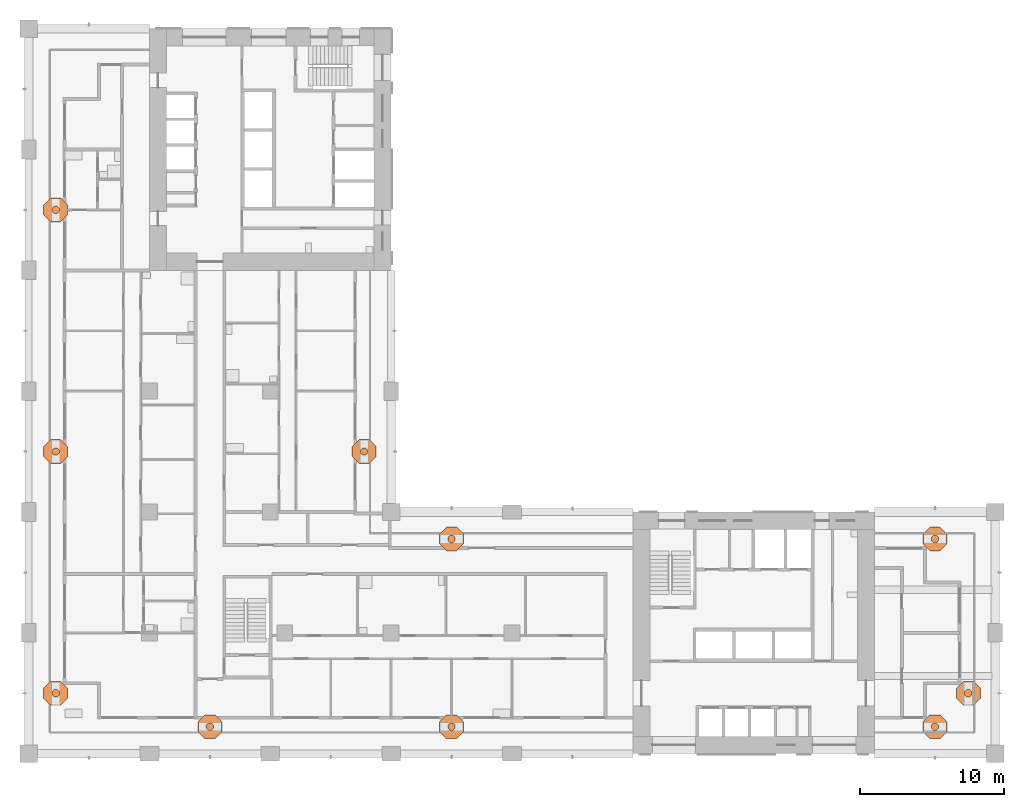
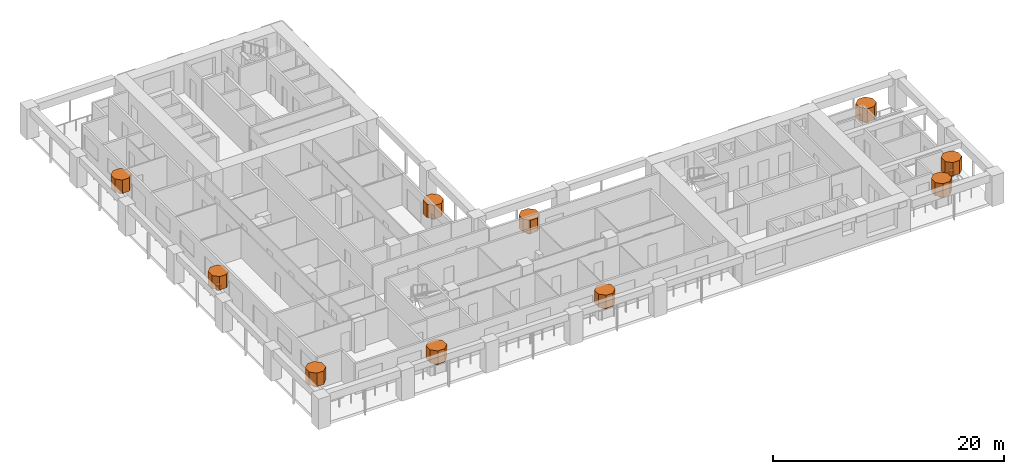
# One storey, part 18 of 18: 20 geographic elements.
"""IFC4 building model written with IfcOpenShell, lengths in metres."""

from ifc_helpers import new_model, si_unit, direction, frame, origin, place, context, subcontext, project, spatial, polyline, outline, extrude, material, element, save


model = new_model("IFC4")

# Units and contexts
model_context = context("Model", 3, precision=1e-05, world=origin(), true_north=direction((0.0, 1.0)))
body_context = subcontext(model_context, "Body", "Model", "MODEL_VIEW")
ifc_project = project(units=[si_unit("LENGTHUNIT", "METRE"), si_unit("AREAUNIT", "SQUARE_METRE"), si_unit("VOLUMEUNIT", "CUBIC_METRE"), si_unit("PLANEANGLEUNIT", "RADIAN"), si_unit("MASSUNIT", "GRAM", prefix="KILO")], contexts=[model_context])

# Site, building, storey
site_placement = place(None, origin())
site = spatial("IfcSite", under=ifc_project, at=site_placement, CompositionType="ELEMENT")
building_placement = place(site_placement, origin())
building = spatial("IfcBuilding", under=site, at=building_placement, Name="Vermilion Gate Residences", CompositionType="ELEMENT")
storey_placement = place(building_placement, frame((0.0, 0.0, 102.199951171875)))
storey = spatial("IfcBuildingStorey", under=building, at=storey_placement, Name="L25", CompositionType="ELEMENT", Elevation=102.199951171875)

# Geographic elements
ifc_material = material(Name="Foliage")
geographic_element_1_placement = place(storey_placement, frame((0.0, 0.0, 0.900146484375)))
element("IfcGeographicElement", 1, at=geographic_element_1_placement, inside=storey, material=ifc_material, Name="Tree (black pine)", ObjectType="TREE", PredefinedType="USERDEFINED", context=body_context, shape_type="SweptSolid", body=[
    extrude(outline(polyline([(12.85400390625, 10.380126953125), (12.705078125, 10.529052734375), (12.494873046875, 10.529052734375), (12.345947265625, 10.380126953125), (12.345947265625, 10.169921875), (12.494873046875, 10.02099609375), (12.705078125, 10.02099609375), (12.85400390625, 10.169921875), (12.85400390625, 10.380126953125)])), origin(), (0.0, 0.0, 1.0), 0.52001953125),
])
geographic_element_2_placement = place(storey_placement, frame((0.0, 0.0, 1.420166015625)))
element("IfcGeographicElement", 2, at=geographic_element_2_placement, inside=storey, material=ifc_material, Name="Tree crown (black pine)", ObjectType="TREE", PredefinedType="USERDEFINED", context=body_context, shape_type="SweptSolid", body=[
    extrude(outline(polyline([(13.431396484375, 10.619384765625), (12.9443359375, 11.1064453125), (12.255615234375, 11.1064453125), (11.7685546875, 10.619384765625), (11.7685546875, 9.9306640625), (12.255615234375, 9.443603515625), (12.9443359375, 9.443603515625), (13.431396484375, 9.9306640625), (13.431396484375, 10.619384765625)])), origin(), (0.0, 0.0, 1.0), 1.39990234375),
])
geographic_element_3_placement = place(storey_placement, frame((0.0, 0.0, 0.900146484375)))
element("IfcGeographicElement", 3, at=geographic_element_3_placement, inside=storey, material=ifc_material, Name="Tree (maple)", ObjectType="TREE", PredefinedType="USERDEFINED", context=body_context, shape_type="SweptSolid", body=[
    extrude(outline(polyline([(29.654052734375, 10.380126953125), (29.505126953125, 10.529052734375), (29.294921875, 10.529052734375), (29.14599609375, 10.380126953125), (29.14599609375, 10.169921875), (29.294921875, 10.02099609375), (29.505126953125, 10.02099609375), (29.654052734375, 10.169921875), (29.654052734375, 10.380126953125)])), origin(), (0.0, 0.0, 1.0), 0.52001953125),
])
geographic_element_4_placement = place(storey_placement, frame((0.0, 0.0, 1.420166015625)))
element("IfcGeographicElement", 4, at=geographic_element_4_placement, inside=storey, material=ifc_material, Name="Tree crown (maple)", ObjectType="TREE", PredefinedType="USERDEFINED", context=body_context, shape_type="SweptSolid", body=[
    extrude(outline(polyline([(30.2314453125, 10.619384765625), (29.744384765625, 11.1064453125), (29.0556640625, 11.1064453125), (28.568603515625, 10.619384765625), (28.568603515625, 9.9306640625), (29.0556640625, 9.443603515625), (29.744384765625, 9.443603515625), (30.2314453125, 9.9306640625), (30.2314453125, 10.619384765625)])), origin(), (0.0, 0.0, 1.0), 1.39990234375),
])
geographic_element_5_placement = place(storey_placement, frame((0.0, 0.0, 0.900146484375)))
element("IfcGeographicElement", 5, at=geographic_element_5_placement, inside=storey, material=ifc_material, Name="Tree (maple)", ObjectType="TREE", PredefinedType="USERDEFINED", context=body_context, shape_type="SweptSolid", body=[
    extrude(outline(polyline([(63.254150390625, 10.380126953125), (63.105224609375, 10.529052734375), (62.894775390625, 10.529052734375), (62.745849609375, 10.380126953125), (62.745849609375, 10.169921875), (62.894775390625, 10.02099609375), (63.105224609375, 10.02099609375), (63.254150390625, 10.169921875), (63.254150390625, 10.380126953125)])), origin(), (0.0, 0.0, 1.0), 0.52001953125),
])
geographic_element_6_placement = place(storey_placement, frame((0.0, 0.0, 1.420166015625)))
element("IfcGeographicElement", 6, at=geographic_element_6_placement, inside=storey, material=ifc_material, Name="Tree crown (maple)", ObjectType="TREE", PredefinedType="USERDEFINED", context=body_context, shape_type="SweptSolid", body=[
    extrude(outline(polyline([(63.83154296875, 10.619384765625), (63.344482421875, 11.1064453125), (62.655517578125, 11.1064453125), (62.16845703125, 10.619384765625), (62.16845703125, 9.9306640625), (62.655517578125, 9.443603515625), (63.344482421875, 9.443603515625), (63.83154296875, 9.9306640625), (63.83154296875, 10.619384765625)])), origin(), (0.0, 0.0, 1.0), 1.39990234375),
])
geographic_element_7_placement = place(storey_placement, frame((0.0, 0.0, 0.900146484375)))
element("IfcGeographicElement", 7, at=geographic_element_7_placement, inside=storey, material=ifc_material, Name="Tree (black pine)", ObjectType="TREE", PredefinedType="USERDEFINED", context=body_context, shape_type="SweptSolid", body=[
    extrude(outline(polyline([(65.5791015625, 12.705078125), (65.43017578125, 12.85400390625), (65.2197265625, 12.85400390625), (65.07080078125, 12.705078125), (65.07080078125, 12.494873046875), (65.2197265625, 12.345947265625), (65.43017578125, 12.345947265625), (65.5791015625, 12.494873046875), (65.5791015625, 12.705078125)])), origin(), (0.0, 0.0, 1.0), 0.52001953125),
])
geographic_element_8_placement = place(storey_placement, frame((0.0, 0.0, 1.420166015625)))
element("IfcGeographicElement", 8, at=geographic_element_8_placement, inside=storey, material=ifc_material, Name="Tree crown (black pine)", ObjectType="TREE", PredefinedType="USERDEFINED", context=body_context, shape_type="SweptSolid", body=[
    extrude(outline(polyline([(66.156494140625, 12.9443359375), (65.66943359375, 13.431396484375), (64.980712890625, 13.431396484375), (64.493408203125, 12.9443359375), (64.493408203125, 12.255615234375), (64.980712890625, 11.7685546875), (65.66943359375, 11.7685546875), (66.156494140625, 12.255615234375), (66.156494140625, 12.9443359375)])), origin(), (0.0, 0.0, 1.0), 1.39990234375),
])
geographic_element_9_placement = place(storey_placement, frame((0.0, 0.0, 0.900146484375)))
element("IfcGeographicElement", 9, at=geographic_element_9_placement, inside=storey, material=ifc_material, Name="Tree (maple)", ObjectType="TREE", PredefinedType="USERDEFINED", context=body_context, shape_type="SweptSolid", body=[
    extrude(outline(polyline([(29.654052734375, 23.43017578125), (29.505126953125, 23.5791015625), (29.294921875, 23.5791015625), (29.14599609375, 23.43017578125), (29.14599609375, 23.2197265625), (29.294921875, 23.07080078125), (29.505126953125, 23.07080078125), (29.654052734375, 23.2197265625), (29.654052734375, 23.43017578125)])), origin(), (0.0, 0.0, 1.0), 0.52001953125),
])
geographic_element_10_placement = place(storey_placement, frame((0.0, 0.0, 1.420166015625)))
element("IfcGeographicElement", 10, at=geographic_element_10_placement, inside=storey, material=ifc_material, Name="Tree crown (maple)", ObjectType="TREE", PredefinedType="USERDEFINED", context=body_context, shape_type="SweptSolid", body=[
    extrude(outline(polyline([(30.2314453125, 23.66943359375), (29.744384765625, 24.156494140625), (29.0556640625, 24.156494140625), (28.568603515625, 23.66943359375), (28.568603515625, 22.980712890625), (29.0556640625, 22.493408203125), (29.744384765625, 22.493408203125), (30.2314453125, 22.980712890625), (30.2314453125, 23.66943359375)])), origin(), (0.0, 0.0, 1.0), 1.39990234375),
])
geographic_element_11_placement = place(storey_placement, frame((0.0, 0.0, 0.900146484375)))
element("IfcGeographicElement", 11, at=geographic_element_11_placement, inside=storey, material=ifc_material, Name="Tree (maple)", ObjectType="TREE", PredefinedType="USERDEFINED", context=body_context, shape_type="SweptSolid", body=[
    extrude(outline(polyline([(63.254150390625, 23.43017578125), (63.105224609375, 23.5791015625), (62.894775390625, 23.5791015625), (62.745849609375, 23.43017578125), (62.745849609375, 23.2197265625), (62.894775390625, 23.07080078125), (63.105224609375, 23.07080078125), (63.254150390625, 23.2197265625), (63.254150390625, 23.43017578125)])), origin(), (0.0, 0.0, 1.0), 0.52001953125),
])
geographic_element_12_placement = place(storey_placement, frame((0.0, 0.0, 1.420166015625)))
element("IfcGeographicElement", 12, at=geographic_element_12_placement, inside=storey, material=ifc_material, Name="Tree crown (maple)", ObjectType="TREE", PredefinedType="USERDEFINED", context=body_context, shape_type="SweptSolid", body=[
    extrude(outline(polyline([(63.83154296875, 23.66943359375), (63.344482421875, 24.156494140625), (62.655517578125, 24.156494140625), (62.16845703125, 23.66943359375), (62.16845703125, 22.980712890625), (62.655517578125, 22.493408203125), (63.344482421875, 22.493408203125), (63.83154296875, 22.980712890625), (63.83154296875, 23.66943359375)])), origin(), (0.0, 0.0, 1.0), 1.39990234375),
])
geographic_element_13_placement = place(storey_placement, frame((0.0, 0.0, 0.900146484375)))
element("IfcGeographicElement", 13, at=geographic_element_13_placement, inside=storey, material=ifc_material, Name="Tree (maple)", ObjectType="TREE", PredefinedType="USERDEFINED", context=body_context, shape_type="SweptSolid", body=[
    extrude(outline(polyline([(23.5791015625, 29.505126953125), (23.43017578125, 29.654052734375), (23.2197265625, 29.654052734375), (23.07080078125, 29.505126953125), (23.07080078125, 29.294921875), (23.2197265625, 29.14599609375), (23.43017578125, 29.14599609375), (23.5791015625, 29.294921875), (23.5791015625, 29.505126953125)])), origin(), (0.0, 0.0, 1.0), 0.52001953125),
])
geographic_element_14_placement = place(storey_placement, frame((0.0, 0.0, 1.420166015625)))
element("IfcGeographicElement", 14, at=geographic_element_14_placement, inside=storey, material=ifc_material, Name="Tree crown (maple)", ObjectType="TREE", PredefinedType="USERDEFINED", context=body_context, shape_type="SweptSolid", body=[
    extrude(outline(polyline([(24.156494140625, 29.744384765625), (23.66943359375, 30.2314453125), (22.980712890625, 30.2314453125), (22.493408203125, 29.744384765625), (22.493408203125, 29.0556640625), (22.980712890625, 28.568603515625), (23.66943359375, 28.568603515625), (24.156494140625, 29.0556640625), (24.156494140625, 29.744384765625)])), origin(), (0.0, 0.0, 1.0), 1.39990234375),
])
geographic_element_15_placement = place(storey_placement, frame((0.0, 0.0, 0.900146484375)))
element("IfcGeographicElement", 15, at=geographic_element_15_placement, inside=storey, material=ifc_material, Name="Tree (black pine)", ObjectType="TREE", PredefinedType="USERDEFINED", context=body_context, shape_type="SweptSolid", body=[
    extrude(outline(polyline([(2.129150390625, 12.705078125), (1.980224609375, 12.85400390625), (1.769775390625, 12.85400390625), (1.620849609375, 12.705078125), (1.620849609375, 12.494873046875), (1.769775390625, 12.345947265625), (1.980224609375, 12.345947265625), (2.129150390625, 12.494873046875), (2.129150390625, 12.705078125)])), origin(), (0.0, 0.0, 1.0), 0.52001953125),
])
geographic_element_16_placement = place(storey_placement, frame((0.0, 0.0, 1.420166015625)))
element("IfcGeographicElement", 16, at=geographic_element_16_placement, inside=storey, material=ifc_material, Name="Tree crown (black pine)", ObjectType="TREE", PredefinedType="USERDEFINED", context=body_context, shape_type="SweptSolid", body=[
    extrude(outline(polyline([(2.70654296875, 12.9443359375), (2.219482421875, 13.431396484375), (1.530517578125, 13.431396484375), (1.04345703125, 12.9443359375), (1.04345703125, 12.255615234375), (1.530517578125, 11.7685546875), (2.219482421875, 11.7685546875), (2.70654296875, 12.255615234375), (2.70654296875, 12.9443359375)])), origin(), (0.0, 0.0, 1.0), 1.39990234375),
])
geographic_element_17_placement = place(storey_placement, frame((0.0, 0.0, 0.900146484375)))
element("IfcGeographicElement", 17, at=geographic_element_17_placement, inside=storey, material=ifc_material, Name="Tree (maple)", ObjectType="TREE", PredefinedType="USERDEFINED", context=body_context, shape_type="SweptSolid", body=[
    extrude(outline(polyline([(2.129150390625, 29.505126953125), (1.980224609375, 29.654052734375), (1.769775390625, 29.654052734375), (1.620849609375, 29.505126953125), (1.620849609375, 29.294921875), (1.769775390625, 29.14599609375), (1.980224609375, 29.14599609375), (2.129150390625, 29.294921875), (2.129150390625, 29.505126953125)])), origin(), (0.0, 0.0, 1.0), 0.52001953125),
])
geographic_element_18_placement = place(storey_placement, frame((0.0, 0.0, 1.420166015625)))
element("IfcGeographicElement", 18, at=geographic_element_18_placement, inside=storey, material=ifc_material, Name="Tree crown (maple)", ObjectType="TREE", PredefinedType="USERDEFINED", context=body_context, shape_type="SweptSolid", body=[
    extrude(outline(polyline([(2.70654296875, 29.744384765625), (2.219482421875, 30.2314453125), (1.530517578125, 30.2314453125), (1.04345703125, 29.744384765625), (1.04345703125, 29.0556640625), (1.530517578125, 28.568603515625), (2.219482421875, 28.568603515625), (2.70654296875, 29.0556640625), (2.70654296875, 29.744384765625)])), origin(), (0.0, 0.0, 1.0), 1.39990234375),
])
geographic_element_19_placement = place(storey_placement, frame((0.0, 0.0, 0.900146484375)))
element("IfcGeographicElement", 19, at=geographic_element_19_placement, inside=storey, material=ifc_material, Name="Tree (black pine)", ObjectType="TREE", PredefinedType="USERDEFINED", context=body_context, shape_type="SweptSolid", body=[
    extrude(outline(polyline([(2.129150390625, 46.30517578125), (1.980224609375, 46.4541015625), (1.769775390625, 46.4541015625), (1.620849609375, 46.30517578125), (1.620849609375, 46.0947265625), (1.769775390625, 45.94580078125), (1.980224609375, 45.94580078125), (2.129150390625, 46.0947265625), (2.129150390625, 46.30517578125)])), origin(), (0.0, 0.0, 1.0), 0.52001953125),
])
geographic_element_20_placement = place(storey_placement, frame((0.0, 0.0, 1.420166015625)))
element("IfcGeographicElement", 20, at=geographic_element_20_placement, inside=storey, material=ifc_material, Name="Tree crown (black pine)", ObjectType="TREE", PredefinedType="USERDEFINED", context=body_context, shape_type="SweptSolid", body=[
    extrude(outline(polyline([(2.70654296875, 46.54443359375), (2.219482421875, 47.031494140625), (1.530517578125, 47.031494140625), (1.04345703125, 46.54443359375), (1.04345703125, 45.855712890625), (1.530517578125, 45.368408203125), (2.219482421875, 45.368408203125), (2.70654296875, 45.855712890625), (2.70654296875, 46.54443359375)])), origin(), (0.0, 0.0, 1.0), 1.39990234375),
])

save(model, "model.ifc")
